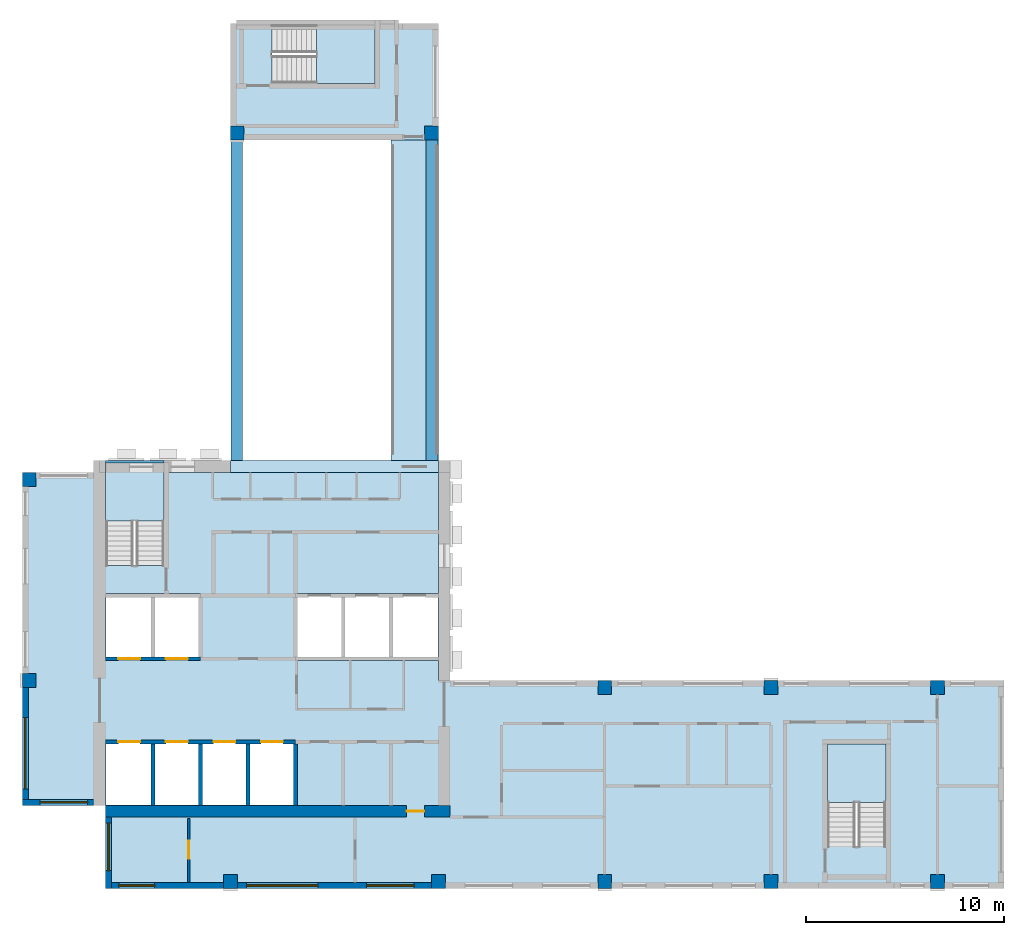
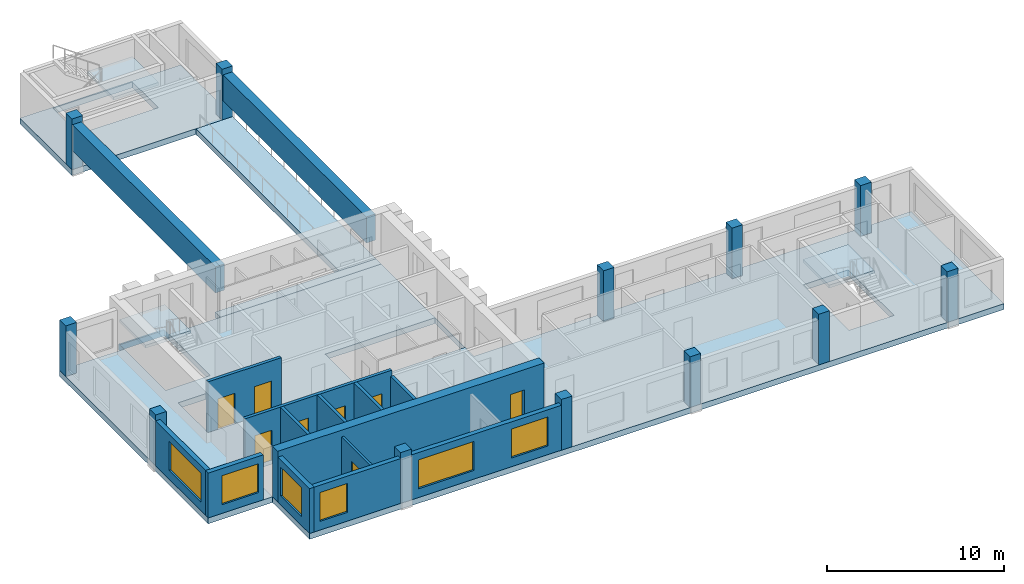
# One storey, part 1 of 9: 13 walls, 12 columns, 8 doors, 8 slabs, 6 windows, 2 beams, 14 openings, 3 elements without a shape of their own.
"""IFC4 building model written with IfcOpenShell, lengths in metres."""

from ifc_helpers import new_model, si_unit, direction, frame, frame_2d, origin, origin_2d, place, context, subcontext, project, spatial, polyline, rectangle, outline, extrude, source, transform, mapped, material, layer, layer_set, material_profile, profile_set, type_object, element, fill, aggregate, save


model = new_model("IFC4")

# Units and contexts
model_context = context("Model", 3, precision=1e-05, world=origin(), true_north=direction((0.0, 1.0)))
body_context = subcontext(model_context, "Body", "Model", "MODEL_VIEW")
ifc_project = project(units=[si_unit("LENGTHUNIT", "METRE"), si_unit("AREAUNIT", "SQUARE_METRE"), si_unit("VOLUMEUNIT", "CUBIC_METRE"), si_unit("PLANEANGLEUNIT", "RADIAN"), si_unit("MASSUNIT", "GRAM", prefix="KILO")], contexts=[model_context])

# Site, building, storey
site_placement = place(None, origin())
site = spatial("IfcSite", under=ifc_project, at=site_placement, CompositionType="ELEMENT")
building_placement = place(site_placement, origin())
building = spatial("IfcBuilding", under=site, at=building_placement, Name="Aurelian Terraces", CompositionType="ELEMENT")
storey_placement = place(building_placement, frame((0.0, 0.0, 323.0)))
storey = spatial("IfcBuildingStorey", under=building, at=storey_placement, Name="L75", CompositionType="ELEMENT", Elevation=323.0)

# Columns
ifc_material_1 = material(Name="Concrete fc' 55 MPa", Category="concrete")
ifc_material_profile_1 = material_profile(ifc_material_1, rectangle(XDim=0.7, YDim=0.7, at=origin_2d()))
ifc_profile_set_1 = profile_set([ifc_material_profile_1], Name="Concrete fc' 55 MPa")
column_type = type_object("IfcColumnType", Name="RC COLUMN 700X700 FC55", PredefinedType="COLUMN", material=ifc_profile_set_1)
shared_shape_1 = source(origin(), body_context, "Body", "SweptSolid", [
    extrude(rectangle(XDim=0.7, YDim=0.7, at=origin_2d()), origin(), (0.0, 0.0, 1.0), 3.5),
])
for number, where, z_axis, x_axis, name in (
    (1, (10.5, 0.35, 0.0), (0.0, 0.0, 1.0), (1.0, 0.0, 0.0), "Column 2/A L75"),
    (2, (21.0, 0.35, 0.0), (0.0, 0.0, 1.0), (1.0, 0.0, 0.0), "Column 3/A L75"),
    (3, (29.4, 0.35, 0.0), (0.0, 0.0, 1.0), (1.0, 0.0, 0.0), "Column 4/A L75"),
    (4, (37.8, 0.35, 0.0), (0.0, 0.0, 1.0), (1.0, 0.0, 0.0), "Column 5/A L75"),
    (5, (46.2, 0.35, 0.0), (0.0, 0.0, 1.0), (1.0, 0.0, 0.0), "Column 6/A L75"),
    (6, (0.35, 10.5, 0.0), (0.0, 0.0, 1.0), (1.0, 0.0, 0.0), "Column 1/B L75"),
    (7, (29.4, 10.15, 0.0), (0.0, 0.0, 1.0), (1.0, 0.0, 0.0), "Column 4/B L75"),
    (8, (37.8, 10.15, 0.0), (0.0, 0.0, 1.0), (1.0, 0.0, 0.0), "Column 5/B L75"),
    (9, (46.2, 10.15, 0.0), (0.0, 0.0, 1.0), (1.0, 0.0, 0.0), "Column 6/B L75"),
    (10, (0.35, 20.65, 0.0), (0.0, 0.0, 1.0), (1.0, 0.0, 0.0), "Column 1/C L75"),
    (11, (10.85, 38.15, 0.0), (0.0, 0.0, 1.0), (1.0, 0.0, 0.0), "Column 2/E L75"),
    (12, (20.65, 38.15, 0.0), (0.0, 0.0, 1.0), (1.0, 0.0, 0.0), "Column 3/E L75"),
):
    element("IfcColumn", number, at=place(storey_placement, frame(where, z_axis=z_axis, x_axis=x_axis)), inside=storey, type_object=column_type, Name=name, PredefinedType="COLUMN", context=body_context, shape_type="MappedRepresentation", body=[
        mapped(shared_shape_1, transform((0.0, 0.0, 0.0), scale=1.0)),
    ])

# Beams
ifc_material_2 = material(Name="Concrete fc' 70 MPa", Category="concrete")
ifc_material_profile_2 = material_profile(ifc_material_2, rectangle(XDim=0.6, YDim=1.8, at=origin_2d()))
ifc_profile_set_2 = profile_set([ifc_material_profile_2], Name="Concrete fc' 70 MPa")
beam_type = type_object("IfcBeamType", Name="CONCRETE HEAD GIRDER 600X1800", PredefinedType="BEAM", material=ifc_profile_set_2)
shared_shape_2 = source(origin(), body_context, "Body", "SweptSolid", [
    extrude(rectangle(XDim=0.6, YDim=1.8, at=origin_2d()), origin(), (0.0, 0.0, 1.0), 16.2),
])
for number, where, z_axis, x_axis, name in (
    (13, (10.825, 21.6, 2.2), (0.0, 1.0, 0.0), (-1.0, 0.0, 0.0), "Sky terrace head girder BLADE-W.1"),
    (14, (20.675, 21.6, 2.2), (0.0, 1.0, 0.0), (-1.0, 0.0, 0.0), "Sky terrace head girder BLADE-W.2"),
):
    element("IfcBeam", number, at=place(storey_placement, frame(where, z_axis=z_axis, x_axis=x_axis)), inside=storey, type_object=beam_type, Name=name, PredefinedType="BEAM", context=body_context, shape_type="MappedRepresentation", body=[
        mapped(shared_shape_2, transform((0.0, 0.0, 0.0), scale=1.0)),
    ])

# Slabs
ifc_material_3 = material(Name="Concrete fc' 40 MPa", Category="concrete")
ifc_layer_1 = layer(ifc_material_3, 0.4)
ifc_layer_set_1 = layer_set([ifc_layer_1], Name="PT FLAT PLATE 400")
slab_type_1 = type_object("IfcSlabType", Name="PT FLAT PLATE 400", PredefinedType="FLOOR", material=ifc_layer_set_1)
shared_shape_3 = source(origin(), body_context, "Body", "SweptSolid", [
    extrude(outline(polyline([(21.0, 0.0), (4.2, 0.0), (4.2, 4.2), (0.0, 4.2), (0.0, 10.5), (0.0, 21.0), (4.21, 21.0), (4.21, 16.31), (7.14, 16.31), (7.14, 21.0), (21.0, 21.0), (21.0, 10.5), (49.56, 10.5), (49.56, 6.3), (49.56, 4.2), (49.56, 0.0), (21.0, 0.0)]), holes=[polyline([(40.66, 2.11), (43.59, 2.11), (43.59, 7.29), (40.66, 7.29), (40.66, 2.11)]), polyline([(13.81, 14.89), (13.81, 11.51), (20.99, 11.51), (20.99, 14.89), (13.81, 14.89)]), polyline([(4.21, 7.49), (4.21, 4.21), (13.79, 4.21), (13.79, 7.49), (4.21, 7.49)]), polyline([(8.99, 11.51), (8.99, 14.89), (4.21, 14.89), (4.21, 11.51), (8.99, 11.51)])]), origin(), (0.0, 0.0, 1.0), 0.4),
])
slab_1_placement = place(storey_placement, frame((0.0, 0.0, -0.4)))
element("IfcSlab", 15, at=slab_1_placement, inside=storey, type_object=slab_type_1, Name="Floor slab S L75", PredefinedType="FLOOR", context=body_context, shape_type="MappedRepresentation", body=[
    mapped(shared_shape_3, transform((0.0, 0.0, 0.0), scale=1.0)),
])
shared_shape_4 = source(origin(), body_context, "Body", "SweptSolid", [
    extrude(outline(polyline([(14.7, 43.68), (16.8, 43.68), (21.0, 43.68), (21.0, 37.8), (10.5, 37.8), (10.5, 43.68), (14.7, 43.68)]), holes=[polyline([(17.79, 43.59), (12.61, 43.59), (12.61, 40.66), (17.79, 40.66), (17.79, 43.59)])]), origin(), (0.0, 0.0, 1.0), 0.4),
])
slab_2_placement = place(storey_placement, frame((0.0, 0.0, -0.4)))
element("IfcSlab", 16, at=slab_2_placement, inside=storey, type_object=slab_type_1, Name="Floor slab W L75", PredefinedType="FLOOR", context=body_context, shape_type="MappedRepresentation", body=[
    mapped(shared_shape_4, transform((0.0, 0.0, 0.0), scale=1.0)),
])
shared_shape_5 = source(origin(), body_context, "Body", "SweptSolid", [
    extrude(outline(polyline([(21.0, 21.6), (21.0, 21.0), (10.5, 21.0), (10.5, 21.6), (21.0, 21.6)])), origin(), (0.0, 0.0, 1.0), 0.4),
])
slab_3_placement = place(storey_placement, frame((0.0, 0.0, -0.4)))
element("IfcSlab", 17, at=slab_3_placement, inside=storey, type_object=slab_type_1, Name="Floor slab W2 L75", PredefinedType="FLOOR", context=body_context, shape_type="MappedRepresentation", body=[
    mapped(shared_shape_5, transform((0.0, 0.0, 0.0), scale=1.0)),
])
shared_shape_6 = source(origin(), body_context, "Body", "SweptSolid", [
    extrude(outline(polyline([(4.2, 21.6), (7.15, 21.6), (7.15, 21.0), (7.14, 21.0), (7.14, 21.49), (4.21, 21.49), (4.21, 21.0), (4.2, 21.0), (4.2, 21.6)])), origin(), (0.0, 0.0, 1.0), 0.4),
])
slab_4_placement = place(storey_placement, frame((0.0, 0.0, -0.4)))
element("IfcSlab", 18, at=slab_4_placement, inside=storey, type_object=slab_type_1, Name="Floor slab W3 L75", PredefinedType="FLOOR", context=body_context, shape_type="MappedRepresentation", body=[
    mapped(shared_shape_6, transform((0.0, 0.0, 0.0), scale=1.0)),
])
ifc_layer_2 = layer(ifc_material_3, 0.4001)
ifc_layer_set_2 = layer_set([ifc_layer_2], Name="Terrace slab 400")
slab_type_2 = type_object("IfcSlabType", Name="Terrace slab 400", PredefinedType="NOTDEFINED", material=ifc_layer_set_2)
shared_shape_7 = source(origin(), body_context, "Body", "SweptSolid", [
    extrude(outline(polyline([(21.0, 21.6), (18.6, 21.6), (18.6, 37.8), (21.0, 37.8), (21.0, 21.6)])), origin(), (0.0, 0.0, 1.0), 0.4001),
])
slab_5_placement = place(storey_placement, frame((0.0, 0.0, -0.4001)))
element("IfcSlab", 19, at=slab_5_placement, inside=storey, type_object=slab_type_2, Name="Sky bridge L75 BLADE-W-B75", PredefinedType="NOTDEFINED", context=body_context, shape_type="MappedRepresentation", body=[
    mapped(shared_shape_7, transform((0.0, 0.0, 0.0), scale=1.0)),
])

# Stair, slab
stair_type = type_object("IfcStairType", Name="Stair 1400", PredefinedType="HALF_TURN_STAIR", material=ifc_material_3)
stair_1_placement = place(storey_placement, origin())
stair_1 = element("IfcStair", 20, at=stair_1_placement, inside=storey, type_object=stair_type, Name="L75 S1", PredefinedType="HALF_TURN_STAIR")
ifc_layer_3 = layer(ifc_material_3, 0.2)
ifc_layer_set_3 = layer_set([ifc_layer_3], Name="Stair landing 200")
slab_type_3 = type_object("IfcSlabType", Name="Stair landing 200", PredefinedType="LANDING", material=ifc_layer_set_3)
shared_shape_8 = source(origin(), body_context, "Body", "SweptSolid", [
    extrude(outline(polyline([(7.15, 18.55), (7.15, 21.5), (4.2, 21.5), (4.2, 18.55), (7.15, 18.55)])), origin(), (0.0, 0.0, 1.0), 0.2),
])
slab_6_placement = place(storey_placement, frame((0.0, 0.0, 1.55)))
slab_6 = element("IfcSlab", 21, at=slab_6_placement, type_object=slab_type_3, Name="S1 landing 1", PredefinedType="LANDING", context=body_context, shape_type="MappedRepresentation", body=[
    mapped(shared_shape_8, transform((0.0, 0.0, 0.0), scale=1.0)),
])
aggregate(stair_1, [slab_6])

stair_2_placement = place(storey_placement, origin())
stair_2 = element("IfcStair", 22, at=stair_2_placement, inside=storey, type_object=stair_type, Name="L75 S2", PredefinedType="HALF_TURN_STAIR")
shared_shape_9 = source(origin(), body_context, "Body", "SweptSolid", [
    extrude(outline(polyline([(43.6, 4.35), (43.6, 7.3), (40.65, 7.3), (40.65, 4.35), (43.6, 4.35)])), origin(), (0.0, 0.0, 1.0), 0.2),
])
slab_7_placement = place(storey_placement, frame((0.0, 0.0, 1.55)))
slab_7 = element("IfcSlab", 23, at=slab_7_placement, type_object=slab_type_3, Name="S2 landing 1", PredefinedType="LANDING", context=body_context, shape_type="MappedRepresentation", body=[
    mapped(shared_shape_9, transform((0.0, 0.0, 0.0), scale=1.0)),
])
aggregate(stair_2, [slab_7])

stair_3_placement = place(storey_placement, origin())
stair_3 = element("IfcStair", 24, at=stair_3_placement, inside=storey, type_object=stair_type, Name="L75 S3U", PredefinedType="HALF_TURN_STAIR")
shared_shape_10 = source(origin(), body_context, "Body", "SweptSolid", [
    extrude(outline(polyline([(14.85, 40.65), (17.8, 40.65), (17.8, 43.6), (14.85, 43.6), (14.85, 40.65)])), origin(), (0.0, 0.0, 1.0), 0.2),
])
slab_8_placement = place(storey_placement, frame((0.0, 0.0, 1.55)))
slab_8 = element("IfcSlab", 25, at=slab_8_placement, type_object=slab_type_3, Name="S3U landing 1", PredefinedType="LANDING", context=body_context, shape_type="MappedRepresentation", body=[
    mapped(shared_shape_10, transform((0.0, 0.0, 0.0), scale=1.0)),
])
aggregate(stair_3, [slab_8])

# Wall, opening, door
ifc_layer_4 = layer(ifc_material_1, 0.6)
ifc_layer_set_4 = layer_set([ifc_layer_4], Name="CORE WALL 600 FC55")
wall_type_1 = type_object("IfcWallType", Name="CORE WALL 600 FC55", PredefinedType="SHEAR", material=ifc_layer_set_4)
shared_shape_11 = source(origin(), body_context, "Body", "SweptSolid", [
    extrude(rectangle(XDim=17.4, YDim=0.6, at=frame_2d((8.7, 0.0))), origin(), (0.0, 0.0, 1.0), 3.5),
])
wall_1_placement = place(storey_placement, frame((4.2, 3.9, 0.0), z_axis=(0.0, 0.0, 1.0), x_axis=(1.0, 0.0, 0.0)))
wall_1 = element("IfcWall", 26, at=wall_1_placement, inside=storey, type_object=wall_type_1, Name="Core wall S L75", PredefinedType="SHEAR", context=body_context, shape_type="MappedRepresentation", body=[
    mapped(shared_shape_11, transform((0.0, 0.0, 0.0), scale=1.0)),
])
shared_shape_12 = source(origin(), body_context, "Body", "SweptSolid", [
    extrude(rectangle(XDim=0.9, YDim=2.1, at=frame_2d((0.45, 1.05))), frame((0.0, 0.31, 0.0), z_axis=(0.0, -1.0, 0.0), x_axis=(1.0, 0.0, 0.0)), (0.0, 0.0, 1.0), 0.62),
])
opening_1_placement = place(wall_1_placement, frame((15.2, 0.0, 0.0)))
opening_1 = element("IfcOpeningElement", 27, at=opening_1_placement, cuts=wall_1, Name="Opening 67833", PredefinedType="OPENING", context=body_context, shape_type="MappedRepresentation", body=[
    mapped(shared_shape_12, transform((0.0, 0.0, 0.0), scale=1.0)),
])
ifc_material_4 = material(Name="Steel door leaf", Category="steel")
door_type_1 = type_object("IfcDoorType", Name="Core service door 900x2100 right", OperationType="SINGLE_SWING_RIGHT", PredefinedType="DOOR", material=ifc_material_4)
shared_shape_13 = source(origin(), body_context, "Body", "SweptSolid", [
    extrude(rectangle(XDim=0.9, YDim=2.1, at=frame_2d((0.45, 1.05))), frame((0.0, 0.025, 0.0), z_axis=(0.0, -1.0, 0.0), x_axis=(1.0, 0.0, 0.0)), (0.0, 0.0, 1.0), 0.05),
])
door_1_placement = place(opening_1_placement, origin())
door_1 = element("IfcDoor", 28, at=door_1_placement, inside=storey, type_object=door_type_1, Name="Core door 67833", OperationType="SINGLE_SWING_RIGHT", OverallHeight=2.1, OverallWidth=0.9, PredefinedType="DOOR", context=body_context, shape_type="MappedRepresentation", body=[
    mapped(shared_shape_13, transform((0.0, 0.0, 0.0), scale=1.0)),
])
fill(opening_1, door_1)

# Wall, opening, window
ifc_material_5 = material(Name="Terracotta rainscreen cladding", Category="masonry")
ifc_layer_5 = layer(ifc_material_5, 0.3)
ifc_layer_set_5 = layer_set([ifc_layer_5], Name="EW-300")
wall_type_2 = type_object("IfcWallType", Name="EW-300", PredefinedType="STANDARD", material=ifc_layer_set_5)
shared_shape_14 = source(origin(), body_context, "Body", "SweptSolid", [
    extrude(rectangle(XDim=3.6, YDim=0.3, at=frame_2d((1.8, 0.0))), origin(), (0.0, 0.0, 1.0), 3.1),
])
wall_2_placement = place(storey_placement, frame((0.0, 4.35, 0.0), z_axis=(0.0, 0.0, 1.0), x_axis=(1.0, 0.0, 0.0)))
wall_2 = element("IfcWall", 29, at=wall_2_placement, inside=storey, type_object=wall_type_2, Name="External wall L75 F13.19", PredefinedType="STANDARD", context=body_context, shape_type="MappedRepresentation", body=[
    mapped(shared_shape_14, transform((0.0, 0.0, 0.0), scale=1.0)),
])
shared_shape_15 = source(origin(), body_context, "Body", "SweptSolid", [
    extrude(rectangle(XDim=2.4, YDim=2.0, at=frame_2d((1.2, 1.0))), frame((0.0, 0.16, 0.0), z_axis=(0.0, -1.0, 0.0), x_axis=(1.0, 0.0, 0.0)), (0.0, 0.0, 1.0), 0.32),
])
opening_2_placement = place(wall_2_placement, frame((0.9, 0.0, 0.6)))
opening_2 = element("IfcOpeningElement", 30, at=opening_2_placement, cuts=wall_2, Name="Opening W2420", PredefinedType="OPENING", context=body_context, shape_type="MappedRepresentation", body=[
    mapped(shared_shape_15, transform((0.0, 0.0, 0.0), scale=1.0)),
])
ifc_material_6 = material(Name="Clear glazing", Category="glass")
window_type_1 = type_object("IfcWindowType", Name="W-2400x2000", PartitioningType="SINGLE_PANEL", PredefinedType="WINDOW", material=ifc_material_6)
shared_shape_16 = source(origin(), body_context, "Body", "SweptSolid", [
    extrude(rectangle(XDim=2.4, YDim=2.0, at=frame_2d((1.2, 1.0))), frame((0.0, 0.03, 0.0), z_axis=(0.0, -1.0, 0.0), x_axis=(1.0, 0.0, 0.0)), (0.0, 0.0, 1.0), 0.06),
])
window_1_placement = place(opening_2_placement, origin())
window_1 = element("IfcWindow", 31, at=window_1_placement, inside=storey, type_object=window_type_1, Name="Window L75 L75-F13-19-0", OverallHeight=2.0, OverallWidth=2.4, PartitioningType="SINGLE_PANEL", PredefinedType="WINDOW", context=body_context, shape_type="MappedRepresentation", body=[
    mapped(shared_shape_16, transform((0.0, 0.0, 0.0), scale=1.0)),
])
fill(opening_2, window_1)

wall_3_placement = place(storey_placement, frame((4.35, 3.6, 0.0), z_axis=(0.0, 0.0, 1.0), x_axis=(0.0, -1.0, 0.0)))
wall_3 = element("IfcWall", 32, at=wall_3_placement, inside=storey, type_object=wall_type_2, Name="External wall L75 F14.20", PredefinedType="STANDARD", context=body_context, shape_type="MappedRepresentation", body=[
    mapped(shared_shape_14, transform((0.0, 0.0, 0.0), scale=1.0)),
])
opening_3_placement = place(wall_3_placement, frame((0.3, 0.0, 0.6)))
opening_3 = element("IfcOpeningElement", 33, at=opening_3_placement, cuts=wall_3, Name="Opening W2420", PredefinedType="OPENING", context=body_context, shape_type="MappedRepresentation", body=[
    mapped(shared_shape_15, transform((0.0, 0.0, 0.0), scale=1.0)),
])
window_2_placement = place(opening_3_placement, origin())
window_2 = element("IfcWindow", 34, at=window_2_placement, inside=storey, type_object=window_type_1, Name="Window L75 L75-F14-20-0", OverallHeight=2.0, OverallWidth=2.4, PartitioningType="SINGLE_PANEL", PredefinedType="WINDOW", context=body_context, shape_type="MappedRepresentation", body=[
    mapped(shared_shape_16, transform((0.0, 0.0, 0.0), scale=1.0)),
])
fill(opening_3, window_2)

# Wall, openings, windows
shared_shape_17 = source(origin(), body_context, "Body", "SweptSolid", [
    extrude(rectangle(XDim=9.8, YDim=0.3, at=frame_2d((4.9, 0.0))), origin(), (0.0, 0.0, 1.0), 3.1),
])
wall_4_placement = place(storey_placement, frame((10.85, 0.15, 0.0), z_axis=(0.0, 0.0, 1.0), x_axis=(1.0, 0.0, 0.0)))
wall_4 = element("IfcWall", 35, at=wall_4_placement, inside=storey, type_object=wall_type_2, Name="External wall L75 F01.2", PredefinedType="STANDARD", context=body_context, shape_type="MappedRepresentation", body=[
    mapped(shared_shape_17, transform((0.0, 0.0, 0.0), scale=1.0)),
])
shared_shape_18 = source(origin(), body_context, "Body", "SweptSolid", [
    extrude(rectangle(XDim=3.6, YDim=2.0, at=frame_2d((1.8, 1.0))), frame((0.0, 0.16, 0.0), z_axis=(0.0, -1.0, 0.0), x_axis=(1.0, 0.0, 0.0)), (0.0, 0.0, 1.0), 0.32),
])
opening_4_placement = place(wall_4_placement, frame((0.475, 0.0, 0.6)))
opening_4 = element("IfcOpeningElement", 36, at=opening_4_placement, cuts=wall_4, Name="Opening W3620", PredefinedType="OPENING", context=body_context, shape_type="MappedRepresentation", body=[
    mapped(shared_shape_18, transform((0.0, 0.0, 0.0), scale=1.0)),
])
opening_5_placement = place(wall_4_placement, frame((6.525, 0.0, 0.6)))
opening_5 = element("IfcOpeningElement", 37, at=opening_5_placement, cuts=wall_4, Name="Opening W2420", PredefinedType="OPENING", context=body_context, shape_type="MappedRepresentation", body=[
    mapped(shared_shape_15, transform((0.0, 0.0, 0.0), scale=1.0)),
])
window_3_placement = place(opening_5_placement, origin())
window_3 = element("IfcWindow", 38, at=window_3_placement, inside=storey, type_object=window_type_1, Name="Window L75 L75-F01-02-1", OverallHeight=2.0, OverallWidth=2.4, PartitioningType="SINGLE_PANEL", PredefinedType="WINDOW", context=body_context, shape_type="MappedRepresentation", body=[
    mapped(shared_shape_16, transform((0.0, 0.0, 0.0), scale=1.0)),
])
fill(opening_5, window_3)
window_type_2 = type_object("IfcWindowType", Name="W-3600x2000", PartitioningType="SINGLE_PANEL", PredefinedType="WINDOW", material=ifc_material_6)
shared_shape_19 = source(origin(), body_context, "Body", "SweptSolid", [
    extrude(rectangle(XDim=3.6, YDim=2.0, at=frame_2d((1.8, 1.0))), frame((0.0, 0.03, 0.0), z_axis=(0.0, -1.0, 0.0), x_axis=(1.0, 0.0, 0.0)), (0.0, 0.0, 1.0), 0.06),
])
window_4_placement = place(opening_4_placement, origin())
window_4 = element("IfcWindow", 39, at=window_4_placement, inside=storey, type_object=window_type_2, Name="Window L75 L75-F01-02-0", OverallHeight=2.0, OverallWidth=3.6, PartitioningType="SINGLE_PANEL", PredefinedType="WINDOW", context=body_context, shape_type="MappedRepresentation", body=[
    mapped(shared_shape_19, transform((0.0, 0.0, 0.0), scale=1.0)),
])
fill(opening_4, window_4)

# Wall, opening, window
shared_shape_20 = source(origin(), body_context, "Body", "SweptSolid", [
    extrude(rectangle(XDim=5.95, YDim=0.3, at=frame_2d((2.975, 0.0))), origin(), (0.0, 0.0, 1.0), 3.1),
])
wall_5_placement = place(storey_placement, frame((4.2, 0.15, 0.0), z_axis=(0.0, 0.0, 1.0), x_axis=(1.0, 0.0, 0.0)))
wall_5 = element("IfcWall", 40, at=wall_5_placement, inside=storey, type_object=wall_type_2, Name="External wall L75 F01.1", PredefinedType="STANDARD", context=body_context, shape_type="MappedRepresentation", body=[
    mapped(shared_shape_20, transform((0.0, 0.0, 0.0), scale=1.0)),
])
shared_shape_21 = source(origin(), body_context, "Body", "SweptSolid", [
    extrude(rectangle(XDim=1.8, YDim=2.0, at=frame_2d((0.9, 1.0))), frame((0.0, 0.16, 0.0), z_axis=(0.0, -1.0, 0.0), x_axis=(1.0, 0.0, 0.0)), (0.0, 0.0, 1.0), 0.32),
])
opening_6_placement = place(wall_5_placement, frame((0.675, 0.0, 0.6)))
opening_6 = element("IfcOpeningElement", 41, at=opening_6_placement, cuts=wall_5, Name="Opening W1820", PredefinedType="OPENING", context=body_context, shape_type="MappedRepresentation", body=[
    mapped(shared_shape_21, transform((0.0, 0.0, 0.0), scale=1.0)),
])
window_type_3 = type_object("IfcWindowType", Name="W-1800x2000", PartitioningType="SINGLE_PANEL", PredefinedType="WINDOW", material=ifc_material_6)
shared_shape_22 = source(origin(), body_context, "Body", "SweptSolid", [
    extrude(rectangle(XDim=1.8, YDim=2.0, at=frame_2d((0.9, 1.0))), frame((0.0, 0.03, 0.0), z_axis=(0.0, -1.0, 0.0), x_axis=(1.0, 0.0, 0.0)), (0.0, 0.0, 1.0), 0.06),
])
window_5_placement = place(opening_6_placement, origin())
window_5 = element("IfcWindow", 42, at=window_5_placement, inside=storey, type_object=window_type_3, Name="Window L75 L75-F01-01-0", OverallHeight=2.0, OverallWidth=1.8, PartitioningType="SINGLE_PANEL", PredefinedType="WINDOW", context=body_context, shape_type="MappedRepresentation", body=[
    mapped(shared_shape_22, transform((0.0, 0.0, 0.0), scale=1.0)),
])
fill(opening_6, window_5)

wall_6_placement = place(storey_placement, frame((0.15, 10.15, 0.0), z_axis=(0.0, 0.0, 1.0), x_axis=(0.0, -1.0, 0.0)))
wall_6 = element("IfcWall", 43, at=wall_6_placement, inside=storey, type_object=wall_type_2, Name="External wall L75 F12.18", PredefinedType="STANDARD", context=body_context, shape_type="MappedRepresentation", body=[
    mapped(shared_shape_20, transform((0.0, 0.0, 0.0), scale=1.0)),
])
opening_7_placement = place(wall_6_placement, frame((1.525, 0.0, 0.6)))
opening_7 = element("IfcOpeningElement", 44, at=opening_7_placement, cuts=wall_6, Name="Opening W3620", PredefinedType="OPENING", context=body_context, shape_type="MappedRepresentation", body=[
    mapped(shared_shape_18, transform((0.0, 0.0, 0.0), scale=1.0)),
])
window_6_placement = place(opening_7_placement, origin())
window_6 = element("IfcWindow", 45, at=window_6_placement, inside=storey, type_object=window_type_2, Name="Window L75 L75-F12-18-3", OverallHeight=2.0, OverallWidth=3.6, PartitioningType="SINGLE_PANEL", PredefinedType="WINDOW", context=body_context, shape_type="MappedRepresentation", body=[
    mapped(shared_shape_19, transform((0.0, 0.0, 0.0), scale=1.0)),
])
fill(opening_7, window_6)

# Walls
ifc_layer_6 = layer(ifc_material_3, 0.2)
ifc_layer_set_6 = layer_set([ifc_layer_6], Name="Lift shaft wall 200")
wall_type_3 = type_object("IfcWallType", Name="Lift shaft wall 200", PredefinedType="SOLIDWALL", material=ifc_layer_set_6)
shared_shape_23 = source(origin(), body_context, "Body", "SweptSolid", [
    extrude(rectangle(XDim=3.1, YDim=0.2, at=frame_2d((1.55, 0.0))), origin(), (0.0, 0.0, 1.0), 3.5),
])
for number, where, z_axis, x_axis, name in (
    (46, (6.6, 4.2, 0.0), (0.0, 0.0, 1.0), (0.0, 1.0, 0.0), "L75 core wall CD-A1"),
    (47, (9.0, 4.2, 0.0), (0.0, 0.0, 1.0), (0.0, 1.0, 0.0), "L75 core wall CD-A2"),
    (48, (11.4, 4.2, 0.0), (0.0, 0.0, 1.0), (0.0, 1.0, 0.0), "L75 core wall CD-A3"),
):
    element("IfcWall", number, at=place(storey_placement, frame(where, z_axis=z_axis, x_axis=x_axis)), inside=storey, type_object=wall_type_3, Name=name, PredefinedType="SOLIDWALL", context=body_context, shape_type="MappedRepresentation", body=[
        mapped(shared_shape_23, transform((0.0, 0.0, 0.0), scale=1.0)),
    ])
shared_shape_24 = source(origin(), body_context, "Body", "SweptSolid", [
    extrude(rectangle(XDim=3.1, YDim=0.2, at=frame_2d((1.55, 0.0))), origin(), (0.0, 0.0, 1.0), 3.1),
])
wall_7_placement = place(storey_placement, frame((13.8, 4.2, 0.0), z_axis=(0.0, 0.0, 1.0), x_axis=(0.0, 1.0, 0.0)))
element("IfcWall", 49, at=wall_7_placement, inside=storey, type_object=wall_type_3, Name="L75 core wall CD-A4", PredefinedType="SOLIDWALL", context=body_context, shape_type="MappedRepresentation", body=[
    mapped(shared_shape_24, transform((0.0, 0.0, 0.0), scale=1.0)),
])

# Wall, openings, doors
shared_shape_25 = source(origin(), body_context, "Body", "SweptSolid", [
    extrude(rectangle(XDim=4.8, YDim=0.2, at=frame_2d((2.4, 0.0))), origin(), (0.0, 0.0, 1.0), 3.5),
])
wall_8_placement = place(storey_placement, frame((4.2, 11.6, 0.0), z_axis=(0.0, 0.0, 1.0), x_axis=(1.0, 0.0, 0.0)))
wall_8 = element("IfcWall", 50, at=wall_8_placement, inside=storey, type_object=wall_type_3, Name="L75 core wall CF-BF1", PredefinedType="SOLIDWALL", context=body_context, shape_type="MappedRepresentation", body=[
    mapped(shared_shape_25, transform((0.0, 0.0, 0.0), scale=1.0)),
])
shared_shape_26 = source(origin(), body_context, "Body", "SweptSolid", [
    extrude(rectangle(XDim=1.1, YDim=2.1, at=frame_2d((0.55, 1.05))), frame((0.0, 0.11, 0.0), z_axis=(0.0, -1.0, 0.0), x_axis=(1.0, 0.0, 0.0)), (0.0, 0.0, 1.0), 0.22),
])
opening_8_placement = place(wall_8_placement, frame((0.65, 0.0, 0.0)))
opening_8 = element("IfcOpeningElement", 51, at=opening_8_placement, cuts=wall_8, Name="Opening 67807", PredefinedType="OPENING", context=body_context, shape_type="MappedRepresentation", body=[
    mapped(shared_shape_26, transform((0.0, 0.0, 0.0), scale=1.0)),
])
opening_9_placement = place(wall_8_placement, frame((3.05, 0.0, 0.0)))
opening_9 = element("IfcOpeningElement", 52, at=opening_9_placement, cuts=wall_8, Name="Opening 67808", PredefinedType="OPENING", context=body_context, shape_type="MappedRepresentation", body=[
    mapped(shared_shape_26, transform((0.0, 0.0, 0.0), scale=1.0)),
])
ifc_material_7 = material(Name="Stainless steel", Category="steel")
door_type_2 = type_object("IfcDoorType", Name="Lift landing door 1100x2100", OperationType="SLIDING_TO_LEFT", PredefinedType="DOOR", material=ifc_material_7)
shared_shape_27 = source(origin(), body_context, "Body", "SweptSolid", [
    extrude(rectangle(XDim=1.1, YDim=2.1, at=frame_2d((0.55, 1.05))), frame((0.0, 0.025, 0.0), z_axis=(0.0, -1.0, 0.0), x_axis=(1.0, 0.0, 0.0)), (0.0, 0.0, 1.0), 0.05),
])
door_2_placement = place(opening_8_placement, origin())
door_2 = element("IfcDoor", 53, at=door_2_placement, inside=storey, type_object=door_type_2, Name="Lift landing door LH5 L75", OperationType="SLIDING_TO_LEFT", OverallHeight=2.1, OverallWidth=1.1, PredefinedType="DOOR", context=body_context, shape_type="MappedRepresentation", body=[
    mapped(shared_shape_27, transform((0.0, 0.0, 0.0), scale=1.0)),
])
fill(opening_8, door_2)
door_3_placement = place(opening_9_placement, origin())
door_3 = element("IfcDoor", 54, at=door_3_placement, inside=storey, type_object=door_type_2, Name="Lift landing door LH6 L75", OperationType="SLIDING_TO_LEFT", OverallHeight=2.1, OverallWidth=1.1, PredefinedType="DOOR", context=body_context, shape_type="MappedRepresentation", body=[
    mapped(shared_shape_27, transform((0.0, 0.0, 0.0), scale=1.0)),
])
fill(opening_9, door_3)

shared_shape_28 = source(origin(), body_context, "Body", "SweptSolid", [
    extrude(rectangle(XDim=9.6, YDim=0.2, at=frame_2d((4.8, 0.0))), origin(), (0.0, 0.0, 1.0), 3.5),
])
wall_9_placement = place(storey_placement, frame((4.2, 7.4, 0.0), z_axis=(0.0, 0.0, 1.0), x_axis=(1.0, 0.0, 0.0)))
wall_9 = element("IfcWall", 55, at=wall_9_placement, inside=storey, type_object=wall_type_3, Name="L75 core wall CF-AF1", PredefinedType="SOLIDWALL", context=body_context, shape_type="MappedRepresentation", body=[
    mapped(shared_shape_28, transform((0.0, 0.0, 0.0), scale=1.0)),
])
opening_10_placement = place(wall_9_placement, frame((0.65, 0.0, 0.0)))
opening_10 = element("IfcOpeningElement", 56, at=opening_10_placement, cuts=wall_9, Name="Opening 67800", PredefinedType="OPENING", context=body_context, shape_type="MappedRepresentation", body=[
    mapped(shared_shape_26, transform((0.0, 0.0, 0.0), scale=1.0)),
])
opening_11_placement = place(wall_9_placement, frame((3.05, 0.0, 0.0)))
opening_11 = element("IfcOpeningElement", 57, at=opening_11_placement, cuts=wall_9, Name="Opening 67801", PredefinedType="OPENING", context=body_context, shape_type="MappedRepresentation", body=[
    mapped(shared_shape_26, transform((0.0, 0.0, 0.0), scale=1.0)),
])
opening_12_placement = place(wall_9_placement, frame((5.45, 0.0, 0.0)))
opening_12 = element("IfcOpeningElement", 58, at=opening_12_placement, cuts=wall_9, Name="Opening 67802", PredefinedType="OPENING", context=body_context, shape_type="MappedRepresentation", body=[
    mapped(shared_shape_26, transform((0.0, 0.0, 0.0), scale=1.0)),
])
opening_13_placement = place(wall_9_placement, frame((7.85, 0.0, 0.0)))
opening_13 = element("IfcOpeningElement", 59, at=opening_13_placement, cuts=wall_9, Name="Opening 67803", PredefinedType="OPENING", context=body_context, shape_type="MappedRepresentation", body=[
    mapped(shared_shape_26, transform((0.0, 0.0, 0.0), scale=1.0)),
])
door_4_placement = place(opening_10_placement, origin())
door_4 = element("IfcDoor", 60, at=door_4_placement, inside=storey, type_object=door_type_2, Name="Lift landing door LH1 L75", OperationType="SLIDING_TO_LEFT", OverallHeight=2.1, OverallWidth=1.1, PredefinedType="DOOR", context=body_context, shape_type="MappedRepresentation", body=[
    mapped(shared_shape_27, transform((0.0, 0.0, 0.0), scale=1.0)),
])
fill(opening_10, door_4)
door_5_placement = place(opening_11_placement, origin())
door_5 = element("IfcDoor", 61, at=door_5_placement, inside=storey, type_object=door_type_2, Name="Lift landing door LH2 L75", OperationType="SLIDING_TO_LEFT", OverallHeight=2.1, OverallWidth=1.1, PredefinedType="DOOR", context=body_context, shape_type="MappedRepresentation", body=[
    mapped(shared_shape_27, transform((0.0, 0.0, 0.0), scale=1.0)),
])
fill(opening_11, door_5)
door_6_placement = place(opening_12_placement, origin())
door_6 = element("IfcDoor", 62, at=door_6_placement, inside=storey, type_object=door_type_2, Name="Lift landing door LH3 L75", OperationType="SLIDING_TO_LEFT", OverallHeight=2.1, OverallWidth=1.1, PredefinedType="DOOR", context=body_context, shape_type="MappedRepresentation", body=[
    mapped(shared_shape_27, transform((0.0, 0.0, 0.0), scale=1.0)),
])
fill(opening_12, door_6)
door_7_placement = place(opening_13_placement, origin())
door_7 = element("IfcDoor", 63, at=door_7_placement, inside=storey, type_object=door_type_2, Name="Lift landing door LH4 L75", OperationType="SLIDING_TO_LEFT", OverallHeight=2.1, OverallWidth=1.1, PredefinedType="DOOR", context=body_context, shape_type="MappedRepresentation", body=[
    mapped(shared_shape_27, transform((0.0, 0.0, 0.0), scale=1.0)),
])
fill(opening_13, door_7)

# Wall, opening, door
ifc_material_8 = material(Name="Gypsum board on steel studs", Category="steel")
ifc_layer_7 = layer(ifc_material_8, 0.15)
ifc_layer_set_7 = layer_set([ifc_layer_7], Name="Partition 150")
wall_type_4 = type_object("IfcWallType", Name="Partition 150", PredefinedType="PARTITIONING", material=ifc_layer_set_7)
shared_shape_29 = source(origin(), body_context, "Body", "SweptSolid", [
    extrude(rectangle(XDim=3.225, YDim=0.15, at=frame_2d((1.6125, 0.0))), origin(), (0.0, 0.0, 1.0), 3.1),
])
wall_10_placement = place(storey_placement, frame((8.4, 3.525, 0.0), z_axis=(0.0, 0.0, 1.0), x_axis=(0.0, -1.0, 0.0)))
wall_10 = element("IfcWall", 64, at=wall_10_placement, inside=storey, type_object=wall_type_4, Name="Partition", PredefinedType="PARTITIONING", context=body_context, shape_type="MappedRepresentation", body=[
    mapped(shared_shape_29, transform((0.0, 0.0, 0.0), scale=1.0)),
])
shared_shape_30 = source(origin(), body_context, "Body", "SweptSolid", [
    extrude(rectangle(XDim=0.9, YDim=2.1, at=frame_2d((0.45, 1.05))), frame((0.0, 0.085, 0.0), z_axis=(0.0, -1.0, 0.0), x_axis=(1.0, 0.0, 0.0)), (0.0, 0.0, 1.0), 0.17),
])
opening_14_placement = place(wall_10_placement, frame((1.125, 0.0, 0.0)))
opening_14 = element("IfcOpeningElement", 65, at=opening_14_placement, cuts=wall_10, Name="Opening 775003", PredefinedType="OPENING", context=body_context, shape_type="MappedRepresentation", body=[
    mapped(shared_shape_30, transform((0.0, 0.0, 0.0), scale=1.0)),
])
ifc_material_9 = material(Name="Timber door leaf", Category="wood")
door_type_3 = type_object("IfcDoorType", Name="Room door 900x2100 left", OperationType="SINGLE_SWING_LEFT", PredefinedType="DOOR", material=ifc_material_9)
door_8_placement = place(opening_14_placement, origin())
door_8 = element("IfcDoor", 66, at=door_8_placement, inside=storey, type_object=door_type_3, Name="Door 775003", OperationType="SINGLE_SWING_LEFT", OverallHeight=2.1, OverallWidth=0.9, PredefinedType="DOOR", context=body_context, shape_type="MappedRepresentation", body=[
    mapped(shared_shape_13, transform((0.0, 0.0, 0.0), scale=1.0)),
])
fill(opening_14, door_8)

save(model, "model.ifc")
